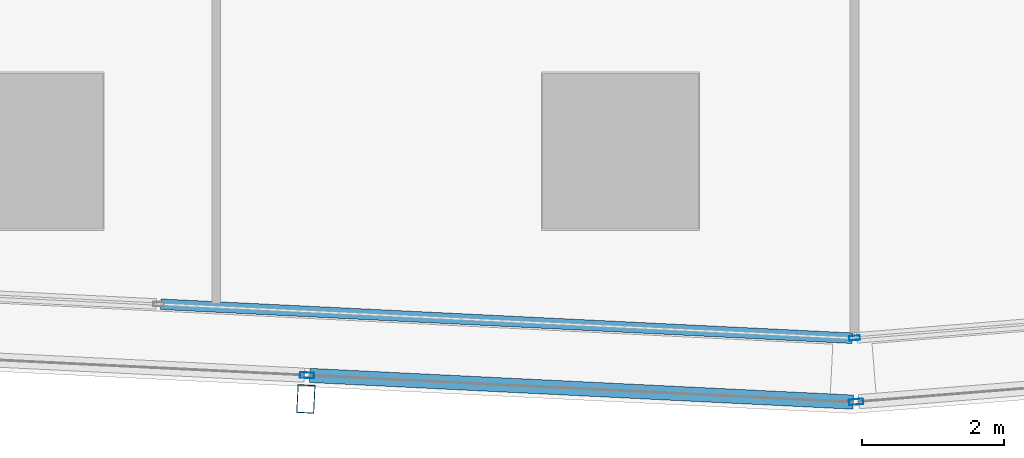
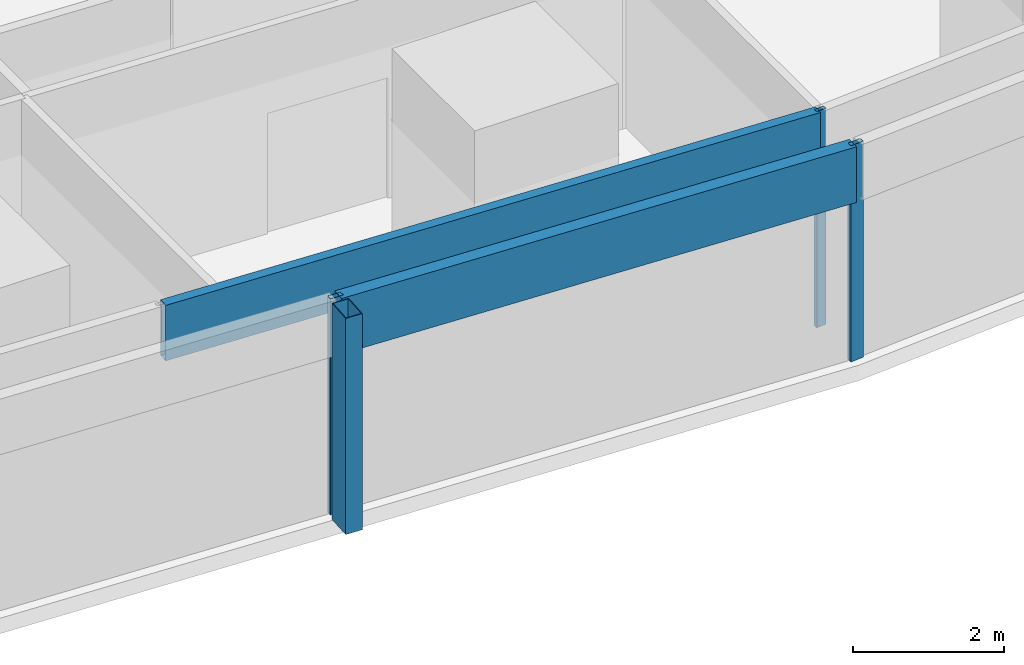
# One storey, part 9 of 44: 6 members, 4 elements without a shape of their own.
"""IFC4 building model written with IfcOpenShell, lengths in metres."""

import ifcopenshell
import ifcopenshell.guid

model = None  # the IFC model being written
_history = None  # IfcOwnerHistory: only IFC2X3 demands one
_inside = {}  # id of a spatial element -> (the spatial element, [elements in it])
_under = {}  # id of a project, library or spatial element -> (it, [spatial elements below it])
_declared = {}  # id of a project -> (the project, [libraries it declares])
_typed = {}  # id of a type object -> (the type object, [elements of that type])
_made_of = {}  # id of a material, layer set ... -> (it, [elements and type objects made of it])


def new_model(schema):
    """Start an empty IFC model of exactly this schema.

    Asked for "IFC4X3", IfcOpenShell would pick the latest addendum, in which some entities
    have other attributes; the version numbers below select the first issue.
    IFC2X3 requires an IfcOwnerHistory on every rooted entity: one is made here for all.
    """
    global model, _history
    if schema == "IFC4X3":
        model = ifcopenshell.file(schema_version=(4, 3, 0, 0))
    else:
        model = ifcopenshell.file(schema=schema)
    _inside.clear()
    _under.clear()
    _declared.clear()
    _typed.clear()
    _made_of.clear()
    _history = None
    if model.schema == "IFC2X3":
        org = make("IfcOrganization", Name="unknown")
        user = make(
            "IfcPersonAndOrganization",
            ThePerson=make("IfcPerson", FamilyName="unknown"),
            TheOrganization=org,
        )
        app = make(
            "IfcApplication",
            ApplicationDeveloper=org,
            Version="unknown",
            ApplicationFullName="unknown",
            ApplicationIdentifier="unknown",
        )
        _history = make(
            "IfcOwnerHistory",
            OwningUser=user,
            OwningApplication=app,
            ChangeAction="ADDED",
            CreationDate=0,
        )
    return model


def make(cls, **values):
    """One entity of the class cls with the attributes given. An attribute that is None is left unset."""
    return model.create_entity(
        cls, **{name: value for name, value in values.items() if value is not None}
    )


def rooted(cls, **values):
    """An entity with a GlobalId (a new one), such as an element, a storey or a relation."""
    return make(cls, GlobalId=ifcopenshell.guid.new(), OwnerHistory=_history, **values)


def si_unit(unit_type, name, prefix=None):
    """IfcSIUnit, for example si_unit("LENGTHUNIT", "METRE", prefix="MILLI")."""
    return make("IfcSIUnit", UnitType=unit_type, Prefix=prefix, Name=name)


def assignment(units):
    """IfcUnitAssignment: the units of a project."""
    return None if units is None else make("IfcUnitAssignment", Units=units)


def point(xyz):
    """IfcCartesianPoint."""
    return None if xyz is None else make("IfcCartesianPoint", Coordinates=xyz)


def direction(xyz):
    """IfcDirection."""
    return None if xyz is None else make("IfcDirection", DirectionRatios=xyz)


def frame(location, z_axis=None, x_axis=None):
    """IfcAxis2Placement3D, a coordinate frame: its origin and axes. An axis left out is left unset."""
    return make(
        "IfcAxis2Placement3D",
        Location=point(location),
        Axis=direction(z_axis),
        RefDirection=direction(x_axis),
    )


def frame_2d(location, x_axis=None):
    """IfcAxis2Placement2D, a coordinate frame in the plane: its origin and x axis."""
    return make(
        "IfcAxis2Placement2D", Location=point(location), RefDirection=direction(x_axis)
    )


def origin():
    """The frame at (0, 0, 0) with its axes left unset."""
    return frame((0.0, 0.0, 0.0))


def origin_2d():
    """The frame at (0, 0) in the plane with its x axis left unset."""
    return frame_2d((0.0, 0.0))


def place(relative_to, where):
    """IfcLocalPlacement: puts the frame where relative to a parent placement (None: the world)."""
    return make(
        "IfcLocalPlacement", PlacementRelTo=relative_to, RelativePlacement=where
    )


def context(
    kind, dimensions, precision=None, world=None, true_north=None, identifier=None
):
    """IfcGeometricRepresentationContext, for example the 3D "Model" context."""
    return make(
        "IfcGeometricRepresentationContext",
        ContextIdentifier=identifier,
        ContextType=kind,
        CoordinateSpaceDimension=dimensions,
        Precision=precision,
        WorldCoordinateSystem=world,
        TrueNorth=true_north,
    )


def subcontext(parent, identifier, kind, view, scale=None):
    """IfcGeometricRepresentationSubContext, for example "Body" below "Model"."""
    return make(
        "IfcGeometricRepresentationSubContext",
        ContextIdentifier=identifier,
        ContextType=kind,
        ParentContext=parent,
        TargetScale=scale,
        TargetView=view,
    )


def project(units=None, contexts=None):
    """IfcProject with its units and contexts."""
    return rooted(
        "IfcProject",
        Name="project",
        RepresentationContexts=contexts,
        UnitsInContext=assignment(units),
    )


def spatial(cls, under=None, at=None, **own):
    """A site, building, storey or space (cls), placed at a placement, below another one or the project."""
    s = rooted(cls, ObjectPlacement=at, **own)
    if under is not None:
        _under.setdefault(under.id(), (under, []))[1].append(s)
    return s


def profile(cls, at=None, kind="AREA", **sizes):
    """A parametric profile (cls). Its sizes go by their IFC names, for example OverallWidth=200.0."""
    return make(cls, ProfileType=kind, Position=at, **sizes)


def hollow_rectangle(**sizes):
    """IfcRectangleHollowProfileDef."""
    return profile("IfcRectangleHollowProfileDef", **sizes)


def extrude(swept, where, along, depth):
    """IfcExtrudedAreaSolid: the profile swept, set in the frame where, extruded along a direction by depth."""
    return make(
        "IfcExtrudedAreaSolid",
        SweptArea=swept,
        Position=where,
        ExtrudedDirection=direction(along),
        Depth=depth,
    )


def shape(context_of_items, identifier, shape_type, items):
    """IfcShapeRepresentation: the items that make up one representation, for example the "Body"."""
    return make(
        "IfcShapeRepresentation",
        ContextOfItems=context_of_items,
        RepresentationIdentifier=identifier,
        RepresentationType=shape_type,
        Items=items,
    )


def material(Name=None, Category=None):
    """IfcMaterial."""
    return make("IfcMaterial", Name=Name, Category=Category)


def material_profile(
    of_material, cross_section, Name=None, Category=None, Priority=None
):
    """IfcMaterialProfile: a cross section and its material."""
    return make(
        "IfcMaterialProfile",
        Name=Name,
        Material=of_material,
        Profile=cross_section,
        Priority=Priority,
        Category=Category,
    )


def profile_set(profiles, Name=None, composite=None):
    """IfcMaterialProfileSet."""
    return make(
        "IfcMaterialProfileSet",
        Name=Name,
        MaterialProfiles=profiles,
        CompositeProfile=composite,
    )


def made_of(thing, what):
    """Note that an element or type object is made of a material, layer set ...; save() writes the relation."""
    if what is not None:
        _made_of.setdefault(what.id(), (what, []))[1].append(thing)
    return thing


def type_object(cls, material=None, **own):
    """A type object (cls), such as IfcWallType, which elements share."""
    return made_of(rooted(cls, **own), material)


def element(
    cls,
    number,
    at=None,
    inside=None,
    cuts=None,
    type_object=None,
    material=None,
    context=None,
    identifier="Body",
    shape_type=None,
    held_by="IfcProductDefinitionShape",
    body=None,
    shapes=None,
    **own,
):
    """One element of the class cls, such as IfcWall. Its Tag is "e" and its number.

    at: its placement. inside: the storey or other place that contains it. cuts: it is an
    opening in that element (IfcRelVoidsElement). A single representation is given by context,
    identifier, shape_type and body (its items); several are given by shapes. held_by: the class
    of the entity that holds the representations. save() writes the other relations.
    """
    e = rooted(cls, Tag="e%d" % number, ObjectPlacement=at, **own)
    if body is not None:
        shapes = [shape(context, identifier, shape_type, body)]
    if shapes is not None:
        e.Representation = make(held_by, Representations=shapes)
    if inside is not None:
        _inside.setdefault(inside.id(), (inside, []))[1].append(e)
    if cuts is not None:
        rooted(
            "IfcRelVoidsElement", RelatingBuildingElement=cuts, RelatedOpeningElement=e
        )
    if type_object is not None:
        _typed.setdefault(type_object.id(), (type_object, []))[1].append(e)
    return made_of(e, material)


def aggregate(whole, parts):
    """IfcRelAggregates: a whole, such as a stair, and the parts it consists of."""
    return rooted("IfcRelAggregates", RelatingObject=whole, RelatedObjects=parts)


def save(model, path):
    """Write the relations noted so far, then the file.

    IfcRelAggregates (storeys below a building ...), IfcRelContainedInSpatialStructure (elements
    in a storey), IfcRelDefinesByType, IfcRelAssociatesMaterial and IfcRelDeclares: one each for
    every whole, place, type object, material and project.
    """
    for whole, parts in _under.values():
        aggregate(whole, parts)
    for where, things in _inside.values():
        rooted(
            "IfcRelContainedInSpatialStructure",
            RelatedElements=things,
            RelatingStructure=where,
        )
    for kind, things in _typed.values():
        rooted("IfcRelDefinesByType", RelatedObjects=things, RelatingType=kind)
    for what, things in _made_of.values():
        rooted("IfcRelAssociatesMaterial", RelatedObjects=things, RelatingMaterial=what)
    for by, libraries in _declared.values():
        rooted("IfcRelDeclares", RelatingContext=by, RelatedDefinitions=libraries)
    model.write(path)


model = new_model("IFC4")

# Units and contexts
model_context = context("Model", 3, precision=1e-05, world=origin(), true_north=direction((0.0, 1.0)))
body_context = subcontext(model_context, "Body", "Model", "MODEL_VIEW")
ifc_project = project(units=[si_unit("LENGTHUNIT", "METRE"), si_unit("AREAUNIT", "SQUARE_METRE"), si_unit("VOLUMEUNIT", "CUBIC_METRE"), si_unit("PLANEANGLEUNIT", "RADIAN"), si_unit("MASSUNIT", "GRAM", prefix="KILO")], contexts=[model_context])

# Site, building, storey
site_placement = place(None, origin())
site = spatial("IfcSite", under=ifc_project, at=site_placement, CompositionType="ELEMENT")
building_placement = place(site_placement, origin())
building = spatial("IfcBuilding", under=site, at=building_placement, Name="Rekha Terrace Tower", CompositionType="ELEMENT")
storey_placement = place(building_placement, frame((0.0, 0.0, 59.14990234375)))
storey = spatial("IfcBuildingStorey", under=building, at=storey_placement, Name="L14", CompositionType="ELEMENT", Elevation=59.14990234375)

# Curtain wall, member
ifc_material_1 = material(Name="Aluminium framing", Category="aluminium")
curtain_wall_type_1 = type_object("IfcCurtainWallType", Name="CW2 double skin outer glazing", PredefinedType="USERDEFINED", material=ifc_material_1)
curtain_wall_1_placement = place(storey_placement, origin())
curtain_wall_1 = element("IfcCurtainWall", 1, at=curtain_wall_1_placement, inside=storey, type_object=curtain_wall_type_1, Name="CW2 double skin outer glazing", ObjectType="DOUBLE SKIN OUTER GLAZING", PredefinedType="USERDEFINED")
ifc_material_2 = material(Name="Steel S355 with fluorocarbon finish", Category="steel")
ifc_material_profile_1 = material_profile(ifc_material_2, hollow_rectangle(XDim=0.25, YDim=0.39990234375, WallThickness=0.012451171875, at=origin_2d()), Name="RHS400x250x12.5")
ifc_profile_set_1 = profile_set([ifc_material_profile_1], Name="Steel S355 with fluorocarbon finish")
member_type_1 = type_object("IfcMemberType", Name="BL1 facade blade RHS 400 x 250", PredefinedType="USERDEFINED", material=ifc_profile_set_1)
member_1_placement = place(storey_placement, frame((37.562744140625, 4.904296875, 0.0), z_axis=(0.0, 0.0, 1.0), x_axis=(0.998796226835, -0.049051985279, 0.0)))
member_1 = element("IfcMember", 2, at=member_1_placement, type_object=member_type_1, Name="Facade blade", ObjectType="FACADE BLADE", PredefinedType="USERDEFINED", context=body_context, shape_type="SweptSolid", body=[
    extrude(hollow_rectangle(XDim=0.25, YDim=0.39990234375, WallThickness=0.012451171875, at=origin_2d()), origin(), (0.0, 0.0, 1.0), 3.5),
])

curtain_wall_type_2 = type_object("IfcCurtainWallType", Name="CW1 double skin inner glazing", PredefinedType="USERDEFINED", material=ifc_material_1)
curtain_wall_2_placement = place(storey_placement, origin())
curtain_wall_2 = element("IfcCurtainWall", 3, at=curtain_wall_2_placement, inside=storey, type_object=curtain_wall_type_2, Name="CW1 double skin inner glazing", ObjectType="DOUBLE SKIN INNER GLAZING", PredefinedType="USERDEFINED")
ifc_material_3 = material(Name="Aluminium mullion section", Category="aluminium")
ifc_material_profile_2 = material_profile(ifc_material_3, hollow_rectangle(XDim=0.06494140625, YDim=0.14990234375, WallThickness=0.00390625, at=origin_2d()), Name="AL RHS 65x150")
ifc_profile_set_2 = profile_set([ifc_material_profile_2], Name="Aluminium mullion section")
member_type_2 = type_object("IfcMemberType", Name="CW1 mullion RHS 65 x 150", PredefinedType="MULLION", material=ifc_profile_set_2)
member_2_placement = place(storey_placement, frame((45.303955078125, 5.7646484375, 0.0), z_axis=(0.0, 0.0, 1.0), x_axis=(-0.079872204468, 0.996805111821, 0.0)))
member_2 = element("IfcMember", 4, at=member_2_placement, type_object=member_type_2, Name="CW1 mullion 1", PredefinedType="MULLION", context=body_context, shape_type="SweptSolid", body=[
    extrude(hollow_rectangle(XDim=0.06494140625, YDim=0.14990234375, WallThickness=0.00390625, at=origin_2d()), origin(), (0.0, 0.0, 1.0), 3.5),
])
aggregate(curtain_wall_2, [member_2])

curtain_wall_3_placement = place(storey_placement, origin())
curtain_wall_3 = element("IfcCurtainWall", 5, at=curtain_wall_3_placement, inside=storey, type_object=curtain_wall_type_2, Name="CW1 double skin inner glazing", ObjectType="DOUBLE SKIN INNER GLAZING", PredefinedType="USERDEFINED")
ifc_material_4 = material(Name="Insulated aluminium spandrel box", Category="aluminium")
ifc_material_profile_3 = material_profile(ifc_material_4, hollow_rectangle(XDim=0.14990234375, YDim=0.89990234375, WallThickness=0.0029296875, at=origin_2d()), Name="AL SPANDREL BOX 150x900")
ifc_profile_set_3 = profile_set([ifc_material_profile_3], Name="Insulated aluminium spandrel box")
member_type_3 = type_object("IfcMemberType", Name="CW1 spandrel transom 150 x 900", PredefinedType="USERDEFINED", material=ifc_profile_set_3)
member_3_placement = place(storey_placement, frame((35.516357421875, 6.2412109375, 3.050048828125), z_axis=(0.998795409084, -0.049068633482, 0.0), x_axis=(0.049068633482, 0.998795409084, 0.0)))
member_3 = element("IfcMember", 6, at=member_3_placement, type_object=member_type_3, Name="CW1 spandrel transom 3", ObjectType="TRANSOM", PredefinedType="USERDEFINED", context=body_context, shape_type="SweptSolid", body=[
    extrude(hollow_rectangle(XDim=0.14990234375, YDim=0.89990234375, WallThickness=0.0029296875, at=origin_2d()), origin(), (0.0, 0.0, 1.0), 9.766845703125),
])
aggregate(curtain_wall_3, [member_3])

# Member
ifc_material_profile_4 = material_profile(ifc_material_3, hollow_rectangle(XDim=0.080078125, YDim=0.199951171875, WallThickness=0.00390625, at=origin_2d()), Name="AL RHS 80x200")
ifc_profile_set_4 = profile_set([ifc_material_profile_4], Name="Aluminium mullion section")
member_type_4 = type_object("IfcMemberType", Name="CW2 mullion RHS 80 x 200", PredefinedType="MULLION", material=ifc_profile_set_4)
member_4_placement = place(storey_placement, frame((37.5791015625, 5.23876953125, 0.0), z_axis=(0.0, 0.0, 1.0), x_axis=(0.049051717746, 0.998796239974, 0.0)))
member_4 = element("IfcMember", 7, at=member_4_placement, type_object=member_type_4, Name="CW2 mullion 5", PredefinedType="MULLION", context=body_context, shape_type="SweptSolid", body=[
    extrude(hollow_rectangle(XDim=0.080078125, YDim=0.199951171875, WallThickness=0.00390625, at=origin_2d()), origin(), (0.0, 0.0, 1.0), 3.5),
])

# Curtain wall, member
curtain_wall_4_placement = place(storey_placement, origin())
curtain_wall_4 = element("IfcCurtainWall", 8, at=curtain_wall_4_placement, inside=storey, type_object=curtain_wall_type_1, Name="CW2 double skin outer glazing", ObjectType="DOUBLE SKIN OUTER GLAZING", PredefinedType="USERDEFINED")
member_5_placement = place(storey_placement, frame((45.325439453125, 4.863525390625, 0.0), z_axis=(0.0, 0.0, 1.0), x_axis=(-0.079872204468, 0.996805111821, 0.0)))
member_5 = element("IfcMember", 9, at=member_5_placement, type_object=member_type_4, Name="CW2 mullion 1", PredefinedType="MULLION", context=body_context, shape_type="SweptSolid", body=[
    extrude(hollow_rectangle(XDim=0.080078125, YDim=0.199951171875, WallThickness=0.00390625, at=origin_2d()), origin(), (0.0, 0.0, 1.0), 3.5),
])
aggregate(curtain_wall_4, [member_5])

# Member
ifc_material_profile_5 = material_profile(ifc_material_4, hollow_rectangle(XDim=0.199951171875, YDim=0.89990234375, WallThickness=0.0029296875, at=origin_2d()), Name="AL SPANDREL BOX 200x900")
ifc_profile_set_5 = profile_set([ifc_material_profile_5], Name="Insulated aluminium spandrel box")
member_type_5 = type_object("IfcMemberType", Name="CW2 spandrel transom 200 x 900", PredefinedType="USERDEFINED", material=ifc_profile_set_5)
member_6_placement = place(storey_placement, frame((37.619140625, 5.23681640625, 3.050048828125), z_axis=(0.998796518042, -0.049046055373, 0.0), x_axis=(0.049046055373, 0.998796518042, 0.0)))
member_6 = element("IfcMember", 10, at=member_6_placement, type_object=member_type_5, Name="CW2 spandrel transom 5", ObjectType="TRANSOM", PredefinedType="USERDEFINED", context=body_context, shape_type="SweptSolid", body=[
    extrude(hollow_rectangle(XDim=0.199951171875, YDim=0.89990234375, WallThickness=0.0029296875, at=origin_2d()), origin(), (0.0, 0.0, 1.0), 7.67578125),
])

aggregate(curtain_wall_1, [member_4, member_6, member_1])

save(model, "model.ifc")
